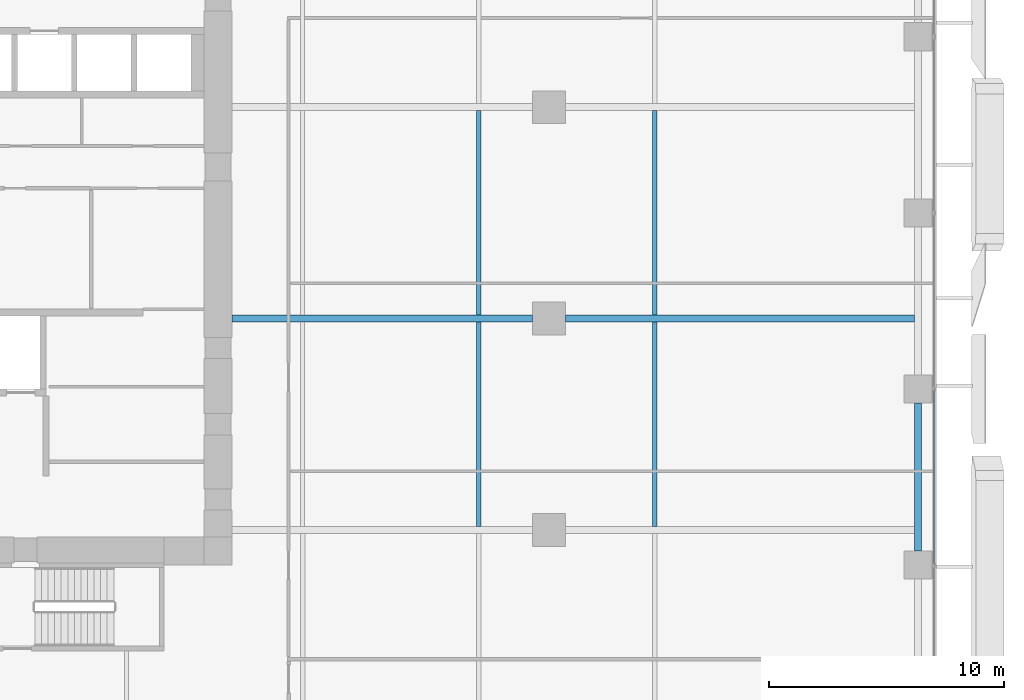
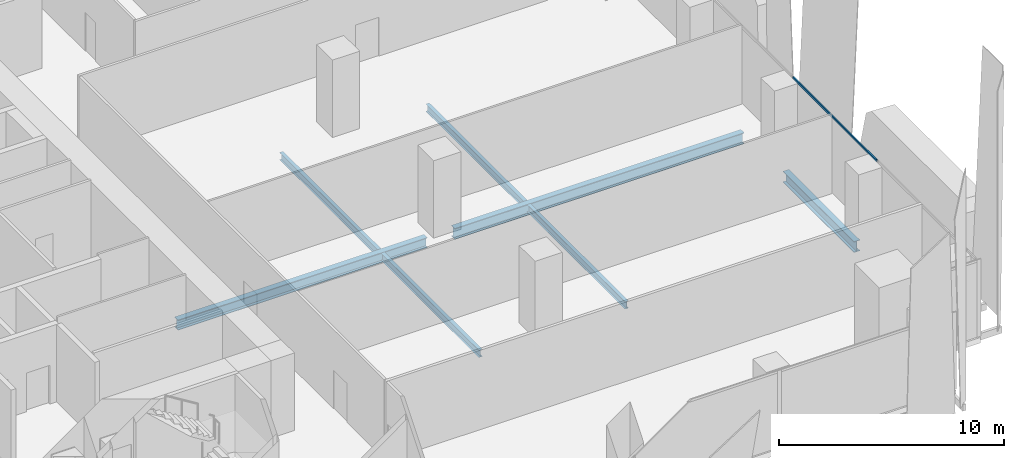
# One storey, part 10 of 36: 7 beams, 1 member, 1 element without a shape of its own.
"""IFC4 building model written with IfcOpenShell, lengths in metres."""

from ifc_helpers import new_model, si_unit, direction, frame, origin, origin_2d, place, context, subcontext, project, spatial, hollow_rectangle, i_section, extrude, source, transform, mapped, material, material_profile, profile_set, type_object, element, aggregate, save


model = new_model("IFC4")

# Units and contexts
model_context = context("Model", 3, precision=1e-05, world=origin(), true_north=direction((0.0, 1.0)))
body_context = subcontext(model_context, "Body", "Model", "MODEL_VIEW")
ifc_project = project(units=[si_unit("LENGTHUNIT", "METRE"), si_unit("AREAUNIT", "SQUARE_METRE"), si_unit("VOLUMEUNIT", "CUBIC_METRE"), si_unit("PLANEANGLEUNIT", "RADIAN"), si_unit("MASSUNIT", "GRAM", prefix="KILO")], contexts=[model_context])

# Site, building, storey
site_placement = place(None, origin())
site = spatial("IfcSite", under=ifc_project, at=site_placement, CompositionType="ELEMENT")
building_placement = place(site_placement, origin())
building = spatial("IfcBuilding", under=site, at=building_placement, Name="Khomas Fold Tower", CompositionType="ELEMENT")
storey_placement = place(building_placement, frame((0.0, 0.0, 46.5)))
storey = spatial("IfcBuildingStorey", under=building, at=storey_placement, Name="L09", CompositionType="ELEMENT", Elevation=46.5)

# Beams
ifc_material_1 = material(Name="Steel S355", Category="steel")
ifc_material_profile_1 = material_profile(ifc_material_1, i_section(OverallWidth=0.300048828125, OverallDepth=0.550048828125, WebThickness=0.014892578125, FlangeThickness=0.029052734375, at=origin_2d()), Name="HE 550 B")
ifc_profile_set_1 = profile_set([ifc_material_profile_1], Name="Steel S355")
beam_type_1 = type_object("IfcBeamType", Name="HE 550 B beam GB4", PredefinedType="BEAM", material=ifc_profile_set_1)
shared_shape_1 = source(origin(), body_context, "Body", "SweptSolid", [
    extrude(i_section(OverallWidth=0.300048828125, OverallDepth=0.550048828125, WebThickness=0.014892578125, FlangeThickness=0.029052734375, at=origin_2d()), origin(), (0.0, 0.0, 1.0), 12.800048828125),
])
beam_1_placement = place(storey_placement, frame((24.0, 22.5, -0.574951171875), z_axis=(1.0, 0.0, 0.0), x_axis=(0.0, 1.0, 0.0)))
element("IfcBeam", 1, at=beam_1_placement, inside=storey, type_object=beam_type_1, Name="GB4", PredefinedType="BEAM", context=body_context, shape_type="MappedRepresentation", body=[
    mapped(shared_shape_1, transform((0.0, 0.0, 0.0))),
])
ifc_material_2 = material(Name="Steel S355", Category="steel")
ifc_material_profile_2 = material_profile(ifc_material_2, i_section(OverallWidth=0.179931640625, OverallDepth=0.39990234375, WebThickness=0.008544921875, FlangeThickness=0.013427734375, at=origin_2d()), Name="IPE 400")
ifc_profile_set_2 = profile_set([ifc_material_profile_2], Name="Steel S355")
beam_type_2 = type_object("IfcBeamType", Name="IPE 400 beam JB3", PredefinedType="BEAM", material=ifc_profile_set_2)
shared_shape_2 = source(origin(), body_context, "Body", "SweptSolid", [
    extrude(i_section(OverallWidth=0.179931640625, OverallDepth=0.39990234375, WebThickness=0.008544921875, FlangeThickness=0.013427734375, at=origin_2d()), origin(), (0.0, 0.0, 1.0), 8.7001953125),
])
for number, where, z_axis, x_axis, name in (
    (2, (34.5, 13.64990234375, -0.5), (0.0, 1.0, 0.0), (-1.0, 0.0, 0.0), "JB3"),
    (3, (34.5, 22.64990234375, -0.5), (0.0, 1.0, 0.0), (-1.0, 0.0, 0.0), "JB3"),
    (4, (42.0, 13.64990234375, -0.5), (0.0, 1.0, 0.0), (-1.0, 0.0, 0.0), "JB3"),
    (5, (42.0, 22.64990234375, -0.5), (0.0, 1.0, 0.0), (-1.0, 0.0, 0.0), "JB3"),
):
    element("IfcBeam", number, at=place(storey_placement, frame(where, z_axis=z_axis, x_axis=x_axis)), inside=storey, type_object=beam_type_2, Name=name, PredefinedType="BEAM", context=body_context, shape_type="MappedRepresentation", body=[
        mapped(shared_shape_2, transform((0.0, 0.0, 0.0))),
    ])
ifc_material_3 = material(Name="Steel S355", Category="steel")
ifc_material_profile_3 = material_profile(ifc_material_3, i_section(OverallWidth=0.300048828125, OverallDepth=0.60009765625, WebThickness=0.015380859375, FlangeThickness=0.030029296875, at=origin_2d()), Name="HE 600 B")
ifc_profile_set_3 = profile_set([ifc_material_profile_3], Name="Steel S355")
beam_type_3 = type_object("IfcBeamType", Name="HE 600 B spandrel SB1", PredefinedType="SPANDREL", material=ifc_profile_set_3)
shared_shape_3 = source(origin(), body_context, "Body", "SweptSolid", [
    extrude(i_section(OverallWidth=0.300048828125, OverallDepth=0.60009765625, WebThickness=0.015380859375, FlangeThickness=0.030029296875, at=origin_2d()), origin(), (0.0, 0.0, 1.0), 6.2998046875),
])
beam_2_placement = place(storey_placement, frame((53.199951171875, 12.60009765625, -0.60009765625), z_axis=(0.0, 1.0, 0.0), x_axis=(-1.0, 0.0, 0.0)))
element("IfcBeam", 6, at=beam_2_placement, inside=storey, type_object=beam_type_3, Name="SB1", PredefinedType="SPANDREL", context=body_context, shape_type="MappedRepresentation", body=[
    mapped(shared_shape_3, transform((0.0, 0.0, 0.0))),
])
ifc_material_4 = material(Name="Steel S355", Category="steel")
ifc_material_profile_4 = material_profile(ifc_material_4, i_section(OverallWidth=0.300048828125, OverallDepth=0.60009765625, WebThickness=0.015380859375, FlangeThickness=0.030029296875, at=origin_2d()), Name="HE 600 B")
ifc_profile_set_4 = profile_set([ifc_material_profile_4], Name="Steel S355")
beam_type_4 = type_object("IfcBeamType", Name="HE 600 B beam GB5", PredefinedType="BEAM", material=ifc_profile_set_4)
shared_shape_4 = source(origin(), body_context, "Body", "SweptSolid", [
    extrude(i_section(OverallWidth=0.300048828125, OverallDepth=0.60009765625, WebThickness=0.015380859375, FlangeThickness=0.030029296875, at=origin_2d()), origin(), (0.0, 0.0, 1.0), 14.85009765625),
])
beam_3_placement = place(storey_placement, frame((38.199951171875, 22.5, -0.60009765625), z_axis=(1.0, 0.0, 0.0), x_axis=(0.0, 1.0, 0.0)))
element("IfcBeam", 7, at=beam_3_placement, inside=storey, type_object=beam_type_4, Name="GB5", PredefinedType="BEAM", context=body_context, shape_type="MappedRepresentation", body=[
    mapped(shared_shape_4, transform((0.0, 0.0, 0.0))),
])

# Curtain wall, member
ifc_material_5 = material(Name="Aluminium framed double glazing", Category="aluminium")
curtain_wall_type = type_object("IfcCurtainWallType", Name="SK-Unitised clear-glass wall, growing floors CW1", PredefinedType="NOTDEFINED", material=ifc_material_5)
curtain_wall_placement = place(storey_placement, origin())
curtain_wall = element("IfcCurtainWall", 8, at=curtain_wall_placement, inside=storey, type_object=curtain_wall_type, Name="CW1 run L09 03-0", PredefinedType="NOTDEFINED")
ifc_material_6 = material(Name="Aluminium", Category="aluminium")
ifc_material_profile_5 = material_profile(ifc_material_6, hollow_rectangle(XDim=0.06005859375, YDim=0.1201171875, WallThickness=0.00390625, at=origin_2d()), Name="SK-Unitised clear-glass wall, growing floors transom CW1-T")
ifc_profile_set_5 = profile_set([ifc_material_profile_5], Name="Aluminium")
member_type = type_object("IfcMemberType", Name="SK-Unitised clear-glass wall, growing floors transom CW1-T", PredefinedType="USERDEFINED", material=ifc_profile_set_5)
shared_shape_5 = source(origin(), body_context, "Body", "SweptSolid", [
    extrude(hollow_rectangle(XDim=0.06005859375, YDim=0.1201171875, WallThickness=0.00390625, at=origin_2d()), origin(), (0.0, 0.0, 1.0), 7.43994140625),
])
member_placement = place(storey_placement, frame((53.89990234375, 12.030029296875, 4.139892578125), z_axis=(0.0, 1.0, 0.0), x_axis=(-1.0, 0.0, 0.0)))
member = element("IfcMember", 9, at=member_placement, type_object=member_type, Name="CW1 transom 3", ObjectType="TRANSOM", PredefinedType="USERDEFINED", context=body_context, shape_type="MappedRepresentation", body=[
    mapped(shared_shape_5, transform((0.0, 0.0, 0.0))),
])
aggregate(curtain_wall, [member])

save(model, "model.ifc")
